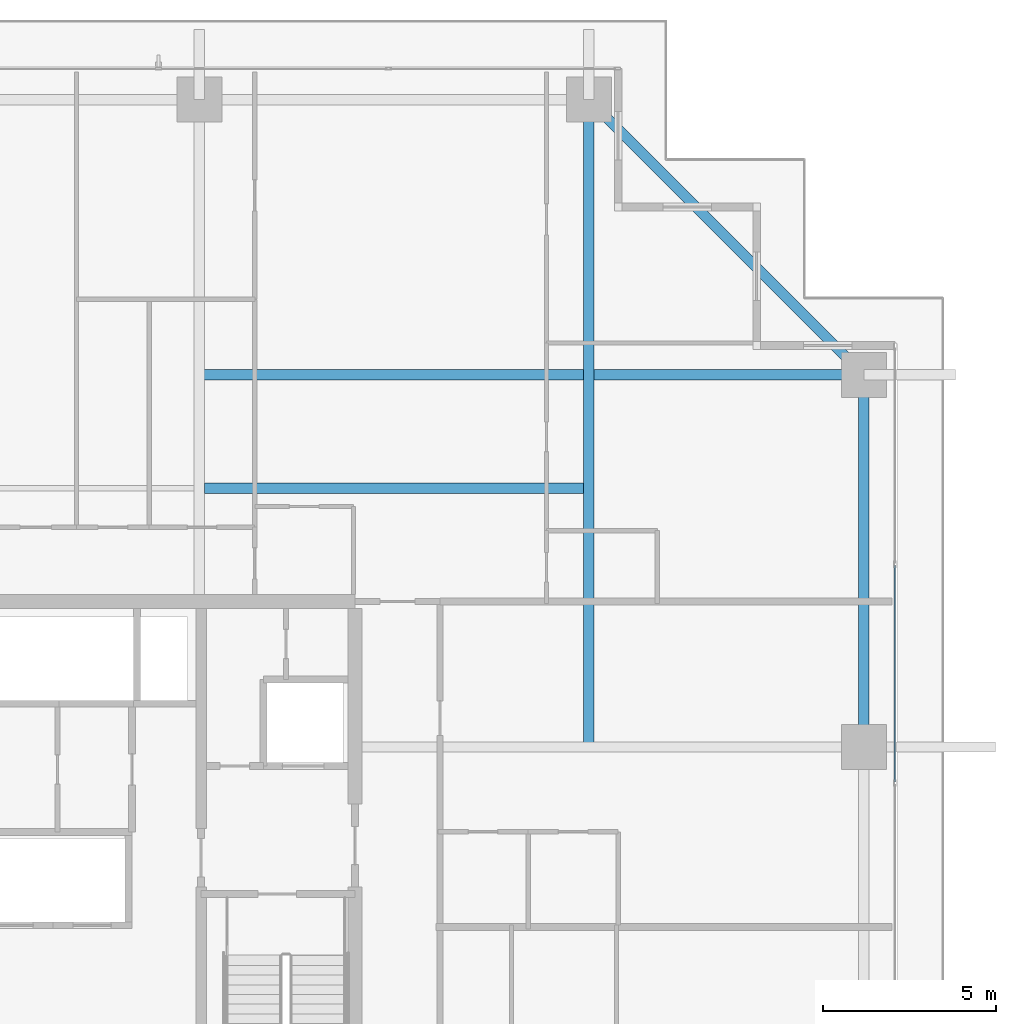
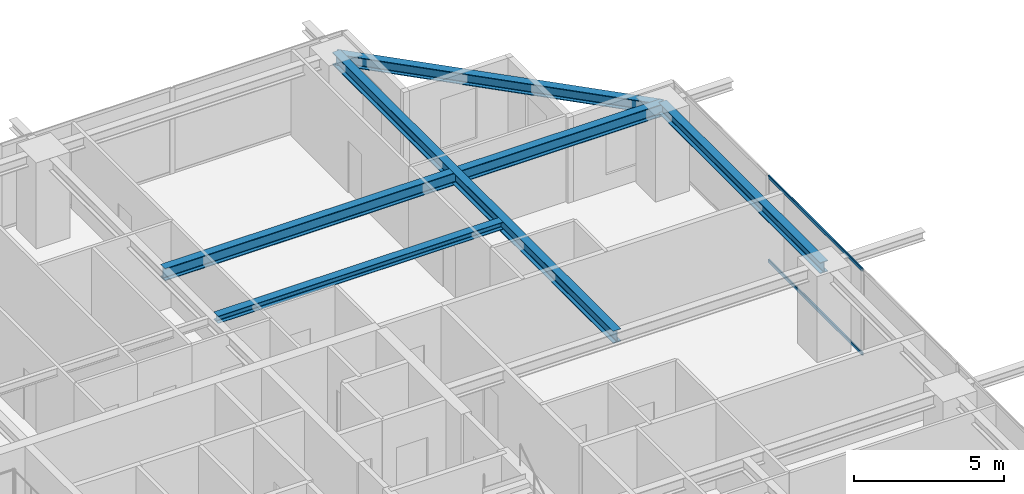
# One storey, part 19 of 35: 5 beams, 2 members, 1 element without a shape of its own.
"""IFC4 building model written with IfcOpenShell, lengths in metres."""

from ifc_helpers import new_model, si_unit, direction, frame, origin, origin_2d, place, context, subcontext, project, spatial, hollow_rectangle, i_section, extrude, source, transform, mapped, material, layer, layer_set, material_profile, profile_set, type_object, element, aggregate, save


model = new_model("IFC4")

# Units and contexts
model_context = context("Model", 3, precision=1e-05, world=origin(), true_north=direction((0.0, 1.0)))
body_context = subcontext(model_context, "Body", "Model", "MODEL_VIEW")
ifc_project = project(units=[si_unit("LENGTHUNIT", "METRE"), si_unit("AREAUNIT", "SQUARE_METRE"), si_unit("VOLUMEUNIT", "CUBIC_METRE"), si_unit("PLANEANGLEUNIT", "RADIAN"), si_unit("MASSUNIT", "GRAM", prefix="KILO")], contexts=[model_context])

# Site, building, storey
site_placement = place(None, origin())
site = spatial("IfcSite", under=ifc_project, at=site_placement, CompositionType="ELEMENT")
building_placement = place(site_placement, origin())
building = spatial("IfcBuilding", under=site, at=building_placement, Name="Serunith Strait Residences", CompositionType="ELEMENT")
storey_placement = place(building_placement, frame((0.0, 0.0, 157.64990234375)))
storey = spatial("IfcBuildingStorey", under=building, at=storey_placement, Name="L39", CompositionType="ELEMENT", Elevation=157.64990234375)

# Beams
ifc_material_1 = material(Name="Steel S355J2", Category="steel")
ifc_material_profile_1 = material_profile(ifc_material_1, i_section(OverallWidth=0.300048828125, OverallDepth=0.5, WebThickness=0.014404296875, FlangeThickness=0.028076171875, FilletRadius=0.027099609375, at=origin_2d()), Name="HEB 500")
ifc_profile_set_1 = profile_set([ifc_material_profile_1], Name="Steel S355J2")
beam_type_1 = type_object("IfcBeamType", Name="BM-HEB500", PredefinedType="BEAM", material=ifc_profile_set_1)
shared_shape_1 = source(origin(), body_context, "Body", "SweptSolid", [
    extrude(i_section(OverallWidth=0.300048828125, OverallDepth=0.5, WebThickness=0.014404296875, FlangeThickness=0.028076171875, FilletRadius=0.027099609375, at=origin_2d()), origin(), (0.0, 0.0, 1.0), 18.7001953125),
])
beam_1_placement = place(storey_placement, frame((48.14990234375, 29.39990234375, 3.237060546875), z_axis=(0.0, 1.0, 0.0), x_axis=(-1.0, 0.0, 0.0)))
element("IfcBeam", 1, at=beam_1_placement, inside=storey, type_object=beam_type_1, Name="L39 Orthogonal Corner Girder TC-N4", PredefinedType="BEAM", context=body_context, shape_type="MappedRepresentation", body=[
    mapped(shared_shape_1, transform((0.0, 0.0, 0.0), scale=1.0)),
])
shared_shape_2 = source(origin(), body_context, "Body", "SweptSolid", [
    extrude(i_section(OverallWidth=0.300048828125, OverallDepth=0.5, WebThickness=0.014404296875, FlangeThickness=0.028076171875, FilletRadius=0.027099609375, at=origin_2d()), origin(), (0.0, 0.0, 1.0), 19.2001953125),
])
beam_2_placement = place(storey_placement, frame((36.89990234375, 40.14990234375, 3.237060546875), z_axis=(1.0, 0.0, 0.0), x_axis=(0.0, 1.0, 0.0)))
element("IfcBeam", 2, at=beam_2_placement, inside=storey, type_object=beam_type_1, Name="L39 Orthogonal Corner Girder TC-E4", PredefinedType="BEAM", context=body_context, shape_type="MappedRepresentation", body=[
    mapped(shared_shape_2, transform((0.0, 0.0, 0.0), scale=1.0)),
])
ifc_material_profile_2 = material_profile(ifc_material_1, i_section(OverallWidth=0.300048828125, OverallDepth=0.449951171875, WebThickness=0.013916015625, FlangeThickness=0.02587890625, FilletRadius=0.027099609375, at=origin_2d()), Name="HEB 450")
ifc_profile_set_2 = profile_set([ifc_material_profile_2], Name="Steel S355J2")
beam_type_2 = type_object("IfcBeamType", Name="BM-HEB450", PredefinedType="BEAM", material=ifc_profile_set_2)
shared_shape_3 = source(origin(), body_context, "Body", "SweptSolid", [
    extrude(i_section(OverallWidth=0.300048828125, OverallDepth=0.449951171875, WebThickness=0.013916015625, FlangeThickness=0.02587890625, FilletRadius=0.027099609375, at=origin_2d()), origin(), (0.0, 0.0, 1.0), 11.2431640625),
])
beam_3_placement = place(storey_placement, frame((56.10009765625, 40.14990234375, 3.232177734375), z_axis=(-0.707106781187, 0.707106781187, 0.0), x_axis=(-0.707106781187, -0.707106781187, 0.0)))
element("IfcBeam", 3, at=beam_3_placement, inside=storey, type_object=beam_type_2, Name="L39 Perimeter Ring Beam 08", PredefinedType="BEAM", context=body_context, shape_type="MappedRepresentation", body=[
    mapped(shared_shape_3, transform((0.0, 0.0, 0.0), scale=1.0)),
])
shared_shape_4 = source(origin(), body_context, "Body", "SweptSolid", [
    extrude(i_section(OverallWidth=0.300048828125, OverallDepth=0.449951171875, WebThickness=0.013916015625, FlangeThickness=0.02587890625, FilletRadius=0.027099609375, at=origin_2d()), origin(), (0.0, 0.0, 1.0), 10.75),
])
beam_4_placement = place(storey_placement, frame((56.10009765625, 29.39990234375, 3.26220703125), z_axis=(0.0, 1.0, 0.0), x_axis=(-1.0, 0.0, 0.0)))
element("IfcBeam", 4, at=beam_4_placement, inside=storey, type_object=beam_type_2, Name="L39 Perimeter Ring Beam 07", PredefinedType="BEAM", context=body_context, shape_type="MappedRepresentation", body=[
    mapped(shared_shape_4, transform((0.0, 0.0, 0.0), scale=1.0)),
])
ifc_material_profile_3 = material_profile(ifc_material_1, i_section(OverallWidth=0.300048828125, OverallDepth=0.300048828125, WebThickness=0.010986328125, FlangeThickness=0.01904296875, FilletRadius=0.027099609375, at=origin_2d()), Name="HEB 300")
ifc_profile_set_3 = profile_set([ifc_material_profile_3], Name="Steel S355J2")
beam_type_3 = type_object("IfcBeamType", Name="BM-HEB300", PredefinedType="JOIST", material=ifc_profile_set_3)
shared_shape_5 = source(origin(), body_context, "Body", "SweptSolid", [
    extrude(i_section(OverallWidth=0.300048828125, OverallDepth=0.300048828125, WebThickness=0.010986328125, FlangeThickness=0.01904296875, FilletRadius=0.027099609375, at=origin_2d()), origin(), (0.0, 0.0, 1.0), 10.949951171875),
])
beam_5_placement = place(storey_placement, frame((37.050048828125, 36.875, 3.337158203125), z_axis=(1.0, 0.0, 0.0), x_axis=(0.0, 1.0, 0.0)))
element("IfcBeam", 5, at=beam_5_placement, inside=storey, type_object=beam_type_3, Name="L39 Composite Floor Joist 06", PredefinedType="JOIST", context=body_context, shape_type="MappedRepresentation", body=[
    mapped(shared_shape_5, transform((0.0, 0.0, 0.0), scale=1.0)),
])

# Curtain wall, members
ifc_material_2 = material(Name="Pale-Champagne Anodised Aluminium", Category="aluminium")
ifc_layer = layer(ifc_material_2, 0.199951171875, Name="Pale-Champagne Anodised Aluminium")
ifc_layer_set = layer_set([ifc_layer], Name="Pale-Champagne Anodised Aluminium")
curtain_wall_type = type_object("IfcCurtainWallType", Name="CW-SYS2", PredefinedType="NOTDEFINED", material=ifc_layer_set)
curtain_wall_placement = place(storey_placement, origin())
curtain_wall = element("IfcCurtainWall", 6, at=curtain_wall_placement, inside=storey, type_object=curtain_wall_type, Name="L39 E Unitised Fritted Curtain Wall", PredefinedType="NOTDEFINED")
ifc_material_profile_4 = material_profile(ifc_material_2, hollow_rectangle(XDim=0.06005859375, YDim=0.139892578125, WallThickness=0.00341796875, InnerFilletRadius=0.00537109375, OuterFilletRadius=0.0087890625, at=origin_2d()), Name="ALU 140x60x3.5")
ifc_profile_set_4 = profile_set([ifc_material_profile_4], Name="Pale-Champagne Anodised Aluminium")
member_type = type_object("IfcMemberType", Name="CW-SYS2-TRAN", PredefinedType="USERDEFINED", material=ifc_profile_set_4)
shared_shape_6 = source(origin(), body_context, "Body", "SweptSolid", [
    extrude(hollow_rectangle(XDim=0.06005859375, YDim=0.139892578125, WallThickness=0.00341796875, InnerFilletRadius=0.00537109375, OuterFilletRadius=0.0087890625, at=origin_2d()), origin(), (0.0, 0.0, 1.0), 6.25),
])
member_1_placement = place(storey_placement, frame((57.0, 28.39501953125, 0.030029296875), z_axis=(0.0, 1.0, 0.0), x_axis=(-1.0, 0.0, 0.0)))
member_1 = element("IfcMember", 7, at=member_1_placement, type_object=member_type, Name="CW-2 transom 4.1", ObjectType="TRANSOM", PredefinedType="USERDEFINED", context=body_context, shape_type="MappedRepresentation", body=[
    mapped(shared_shape_6, transform((0.0, 0.0, 0.0), scale=1.0)),
])
member_2_placement = place(storey_placement, frame((57.0, 28.39501953125, 3.445068359375), z_axis=(0.0, 1.0, 0.0), x_axis=(-1.0, 0.0, 0.0)))
member_2 = element("IfcMember", 8, at=member_2_placement, type_object=member_type, Name="CW-2 transom 4.2", ObjectType="TRANSOM", PredefinedType="USERDEFINED", context=body_context, shape_type="MappedRepresentation", body=[
    mapped(shared_shape_6, transform((0.0, 0.0, 0.0), scale=1.0)),
])
aggregate(curtain_wall, [member_1, member_2])

save(model, "model.ifc")
